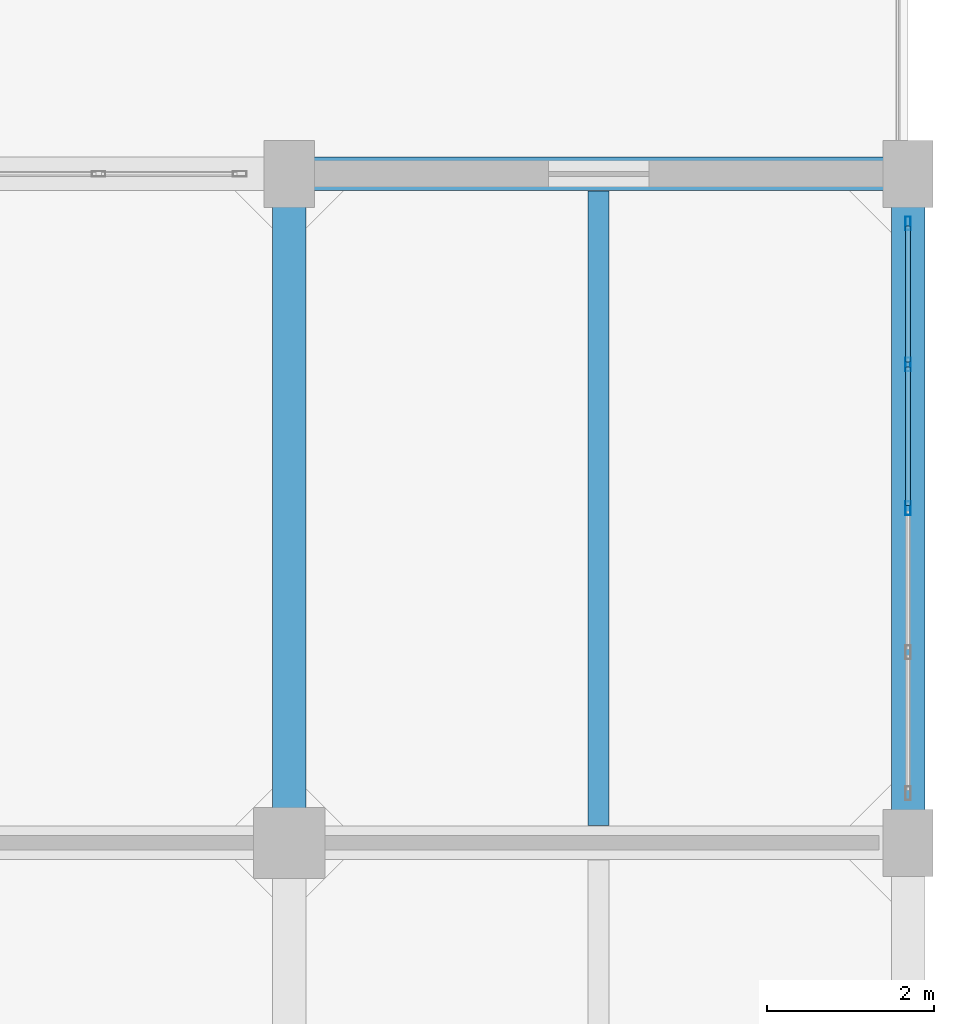
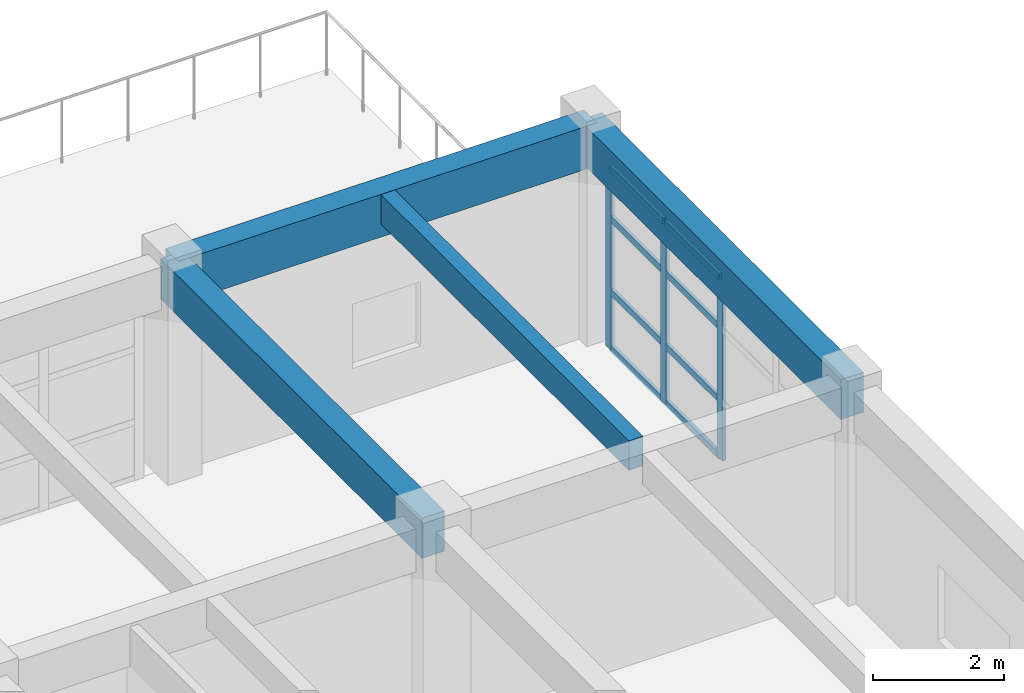
# One storey, part 21 of 30: 11 members, 4 beams, 1 element without a shape of its own.
"""IFC4 building model written with IfcOpenShell, lengths in metres."""

from ifc_helpers import new_model, si_unit, direction, frame, origin, origin_2d, place, context, subcontext, project, spatial, rectangle, hollow_rectangle, extrude, material, layer, layer_set, material_profile, profile_set, type_object, element, aggregate, save


model = new_model("IFC4")

# Units and contexts
model_context = context("Model", 3, precision=1e-05, world=origin(), true_north=direction((0.0, 1.0)))
body_context = subcontext(model_context, "Body", "Model", "MODEL_VIEW")
ifc_project = project(units=[si_unit("LENGTHUNIT", "METRE"), si_unit("AREAUNIT", "SQUARE_METRE"), si_unit("VOLUMEUNIT", "CUBIC_METRE"), si_unit("PLANEANGLEUNIT", "RADIAN"), si_unit("MASSUNIT", "GRAM", prefix="KILO")], contexts=[model_context])

# Site, building, storey
site_placement = place(None, origin())
site = spatial("IfcSite", under=ifc_project, at=site_placement, CompositionType="ELEMENT")
building_placement = place(site_placement, origin())
building = spatial("IfcBuilding", under=site, at=building_placement, Name="Canggui Botanical Conservatory", CompositionType="ELEMENT")
storey_placement = place(building_placement, frame((0.0, 0.0, 19.199951171875)))
storey = spatial("IfcBuildingStorey", under=building, at=storey_placement, Name="L05", CompositionType="ELEMENT", Elevation=19.199951171875)

# Beams
ifc_material_1 = material(Name="Concrete C35", Category="concrete")
ifc_material_profile_1 = material_profile(ifc_material_1, rectangle(XDim=0.25, YDim=0.550048828125, at=origin_2d()), Name="RB 250x550")
ifc_profile_set_1 = profile_set([ifc_material_profile_1], Name="Concrete C35")
beam_type_1 = type_object("IfcBeamType", Name="BM-JST03", PredefinedType="JOIST", material=ifc_profile_set_1)
beam_1_placement = place(storey_placement, frame((173.699951171875, 66.205078125, 3.68505859375), z_axis=(0.0, 1.0, 0.0), x_axis=(-1.0, 0.0, 0.0)))
element("IfcBeam", 1, at=beam_1_placement, inside=storey, type_object=beam_type_1, Name="Secondary Floor Joist L05-5-6", PredefinedType="JOIST", context=body_context, shape_type="SweptSolid", body=[
    extrude(rectangle(XDim=0.25, YDim=0.550048828125, at=origin_2d()), origin(), (0.0, 0.0, 1.0), 7.58984375),
])
ifc_material_profile_2 = material_profile(ifc_material_1, rectangle(XDim=0.39990234375, YDim=0.800048828125, at=origin_2d()), Name="RB 400x800")
ifc_profile_set_2 = profile_set([ifc_material_profile_2], Name="Concrete C35")
beam_type_2 = type_object("IfcBeamType", Name="BM-KL09", PredefinedType="BEAM", material=ifc_profile_set_2)
beam_2_placement = place(storey_placement, frame((170.0, 74.0, 3.56005859375), z_axis=(1.0, 0.0, 0.0), x_axis=(0.0, 1.0, 0.0)))
element("IfcBeam", 2, at=beam_2_placement, inside=storey, type_object=beam_type_2, Name="Frame Girder L05 Y74-5", PredefinedType="BEAM", context=body_context, shape_type="SweptSolid", body=[
    extrude(rectangle(XDim=0.39990234375, YDim=0.800048828125, at=origin_2d()), origin(), (0.0, 0.0, 1.0), 7.39990234375),
])
ifc_material_profile_3 = material_profile(ifc_material_1, rectangle(XDim=0.39990234375, YDim=0.75, at=origin_2d()), Name="RB 400x750")
ifc_profile_set_3 = profile_set([ifc_material_profile_3], Name="Concrete C35")
beam_type_3 = type_object("IfcBeamType", Name="BM-KL10", PredefinedType="BEAM", material=ifc_profile_set_3)
for number, where, z_axis, x_axis, name in (
    (3, (170.0, 66.0, 3.5849609375), (0.0, 1.0, 0.0), (-1.0, 0.0, 0.0), "Frame Girder L05 X170-6"),
    (4, (177.39990234375, 66.0, 3.5849609375), (0.0, 1.0, 0.0), (-1.0, 0.0, 0.0), "Frame Girder L05 X178-6"),
):
    element("IfcBeam", number, at=place(storey_placement, frame(where, z_axis=z_axis, x_axis=x_axis)), inside=storey, type_object=beam_type_3, Name=name, PredefinedType="BEAM", context=body_context, shape_type="SweptSolid", body=[
        extrude(rectangle(XDim=0.39990234375, YDim=0.75, at=origin_2d()), origin(), (0.0, 0.0, 1.0), 8.0),
    ])

# Curtain wall, members
ifc_material_2 = material(Name="Thermally Broken Aluminium", Category="aluminium")
ifc_layer = layer(ifc_material_2, 0.1650390625, Name="Thermally Broken Aluminium", Category="aluminium")
ifc_layer_set = layer_set([ifc_layer], Name="Thermally Broken Aluminium")
curtain_wall_type = type_object("IfcCurtainWallType", Name="CW-UNIT-B", PredefinedType="USERDEFINED", material=ifc_layer_set)
curtain_wall_placement = place(storey_placement, origin())
curtain_wall = element("IfcCurtainWall", 5, at=curtain_wall_placement, inside=storey, type_object=curtain_wall_type, Name="Facade Curtain Wall CW-TWR-L05-17", ObjectType="UNITISED CURTAIN WALL", PredefinedType="USERDEFINED")
ifc_material_profile_4 = material_profile(ifc_material_2, hollow_rectangle(XDim=0.06494140625, YDim=0.1650390625, WallThickness=0.00390625, at=origin_2d()), Name="CWM 65x165x4")
ifc_profile_set_4 = profile_set([ifc_material_profile_4], Name="Thermally Broken Aluminium")
member_type_1 = type_object("IfcMemberType", Name="CWM-02", PredefinedType="MULLION", material=ifc_profile_set_4)
member_1_placement = place(storey_placement, frame((177.39990234375, 73.407470703125, 0.0), z_axis=(0.0, 0.0, 1.0), x_axis=(1.0, 0.0, 0.0)))
member_1 = element("IfcMember", 6, at=member_1_placement, type_object=member_type_1, Name="CW-02 mullion 1", PredefinedType="MULLION", context=body_context, shape_type="SweptSolid", body=[
    extrude(hollow_rectangle(XDim=0.06494140625, YDim=0.1650390625, WallThickness=0.00390625, at=origin_2d()), origin(), (0.0, 0.0, 1.0), 3.400146484375),
])
member_2_placement = place(storey_placement, frame((177.39990234375, 71.719970703125, 0.0), z_axis=(0.0, 0.0, 1.0), x_axis=(1.0, 0.0, 0.0)))
member_2 = element("IfcMember", 7, at=member_2_placement, type_object=member_type_1, Name="CW-02 mullion 2", PredefinedType="MULLION", context=body_context, shape_type="SweptSolid", body=[
    extrude(hollow_rectangle(XDim=0.06494140625, YDim=0.1650390625, WallThickness=0.00390625, at=origin_2d()), origin(), (0.0, 0.0, 1.0), 3.400146484375),
])
member_3_placement = place(storey_placement, frame((177.39990234375, 70.0, 0.0), z_axis=(0.0, 0.0, 1.0), x_axis=(1.0, 0.0, 0.0)))
member_3 = element("IfcMember", 8, at=member_3_placement, type_object=member_type_1, Name="CW-02 mullion 3", PredefinedType="MULLION", context=body_context, shape_type="SweptSolid", body=[
    extrude(hollow_rectangle(XDim=0.06494140625, YDim=0.1650390625, WallThickness=0.00390625, at=origin_2d()), origin(), (0.0, 0.0, 1.0), 3.400146484375),
])
ifc_material_profile_5 = material_profile(ifc_material_2, hollow_rectangle(XDim=0.06005859375, YDim=0.1201171875, WallThickness=0.00341796875, at=origin_2d()), Name="CWT 60x120x3.5")
ifc_profile_set_5 = profile_set([ifc_material_profile_5], Name="Thermally Broken Aluminium")
member_type_2 = type_object("IfcMemberType", Name="CWT-02", PredefinedType="USERDEFINED", material=ifc_profile_set_5)
member_4_placement = place(storey_placement, frame((177.39990234375, 73.375, 0.030029296875), z_axis=(0.0, -1.0, 0.0), x_axis=(1.0, 0.0, 0.0)))
member_4 = element("IfcMember", 9, at=member_4_placement, type_object=member_type_2, Name="CW-02 transom 1.1", ObjectType="TRANSOM", PredefinedType="USERDEFINED", context=body_context, shape_type="SweptSolid", body=[
    extrude(hollow_rectangle(XDim=0.06005859375, YDim=0.1201171875, WallThickness=0.00341796875, at=origin_2d()), origin(), (0.0, 0.0, 1.0), 1.62255859375),
])
member_5_placement = place(storey_placement, frame((177.39990234375, 73.375, 1.088134765625), z_axis=(0.0, -1.0, 0.0), x_axis=(1.0, 0.0, 0.0)))
member_5 = element("IfcMember", 10, at=member_5_placement, type_object=member_type_2, Name="CW-02 transom 1.2", ObjectType="TRANSOM", PredefinedType="USERDEFINED", context=body_context, shape_type="SweptSolid", body=[
    extrude(hollow_rectangle(XDim=0.06005859375, YDim=0.1201171875, WallThickness=0.00341796875, at=origin_2d()), origin(), (0.0, 0.0, 1.0), 1.62255859375),
])
member_6_placement = place(storey_placement, frame((177.39990234375, 73.375, 2.447998046875), z_axis=(0.0, -1.0, 0.0), x_axis=(1.0, 0.0, 0.0)))
member_6 = element("IfcMember", 11, at=member_6_placement, type_object=member_type_2, Name="CW-02 transom 1.3", ObjectType="TRANSOM", PredefinedType="USERDEFINED", context=body_context, shape_type="SweptSolid", body=[
    extrude(hollow_rectangle(XDim=0.06005859375, YDim=0.1201171875, WallThickness=0.00341796875, at=origin_2d()), origin(), (0.0, 0.0, 1.0), 1.62255859375),
])
member_7_placement = place(storey_placement, frame((177.39990234375, 73.375, 3.3701171875), z_axis=(0.0, -1.0, 0.0), x_axis=(1.0, 0.0, 0.0)))
member_7 = element("IfcMember", 12, at=member_7_placement, type_object=member_type_2, Name="CW-02 transom 1.4", ObjectType="TRANSOM", PredefinedType="USERDEFINED", context=body_context, shape_type="SweptSolid", body=[
    extrude(hollow_rectangle(XDim=0.06005859375, YDim=0.1201171875, WallThickness=0.00341796875, at=origin_2d()), origin(), (0.0, 0.0, 1.0), 1.62255859375),
])
member_8_placement = place(storey_placement, frame((177.39990234375, 71.6875, 0.030029296875), z_axis=(0.0, -1.0, 0.0), x_axis=(1.0, 0.0, 0.0)))
member_8 = element("IfcMember", 13, at=member_8_placement, type_object=member_type_2, Name="CW-02 transom 2.1", ObjectType="TRANSOM", PredefinedType="USERDEFINED", context=body_context, shape_type="SweptSolid", body=[
    extrude(hollow_rectangle(XDim=0.06005859375, YDim=0.1201171875, WallThickness=0.00341796875, at=origin_2d()), origin(), (0.0, 0.0, 1.0), 1.655029296875),
])
member_9_placement = place(storey_placement, frame((177.39990234375, 71.6875, 1.088134765625), z_axis=(0.0, -1.0, 0.0), x_axis=(1.0, 0.0, 0.0)))
member_9 = element("IfcMember", 14, at=member_9_placement, type_object=member_type_2, Name="CW-02 transom 2.2", ObjectType="TRANSOM", PredefinedType="USERDEFINED", context=body_context, shape_type="SweptSolid", body=[
    extrude(hollow_rectangle(XDim=0.06005859375, YDim=0.1201171875, WallThickness=0.00341796875, at=origin_2d()), origin(), (0.0, 0.0, 1.0), 1.655029296875),
])
member_10_placement = place(storey_placement, frame((177.39990234375, 71.6875, 2.447998046875), z_axis=(0.0, -1.0, 0.0), x_axis=(1.0, 0.0, 0.0)))
member_10 = element("IfcMember", 15, at=member_10_placement, type_object=member_type_2, Name="CW-02 transom 2.3", ObjectType="TRANSOM", PredefinedType="USERDEFINED", context=body_context, shape_type="SweptSolid", body=[
    extrude(hollow_rectangle(XDim=0.06005859375, YDim=0.1201171875, WallThickness=0.00341796875, at=origin_2d()), origin(), (0.0, 0.0, 1.0), 1.655029296875),
])
member_11_placement = place(storey_placement, frame((177.39990234375, 71.6875, 3.3701171875), z_axis=(0.0, -1.0, 0.0), x_axis=(1.0, 0.0, 0.0)))
member_11 = element("IfcMember", 16, at=member_11_placement, type_object=member_type_2, Name="CW-02 transom 2.4", ObjectType="TRANSOM", PredefinedType="USERDEFINED", context=body_context, shape_type="SweptSolid", body=[
    extrude(hollow_rectangle(XDim=0.06005859375, YDim=0.1201171875, WallThickness=0.00341796875, at=origin_2d()), origin(), (0.0, 0.0, 1.0), 1.655029296875),
])
aggregate(curtain_wall, [member_1, member_2, member_3, member_4, member_5, member_6, member_7, member_8, member_9, member_10, member_11])

save(model, "model.ifc")
